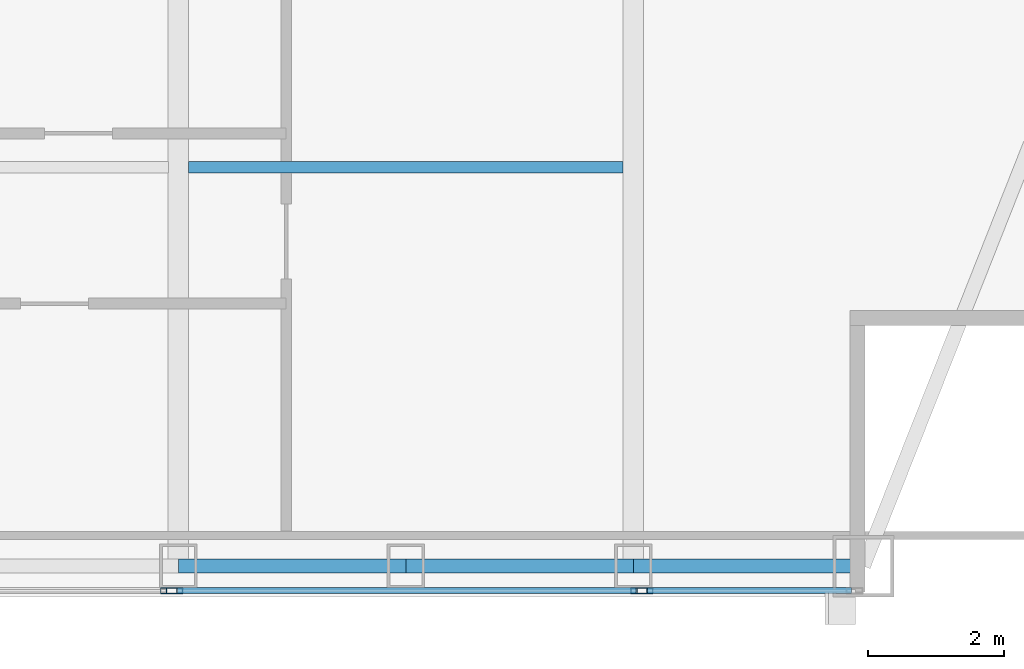
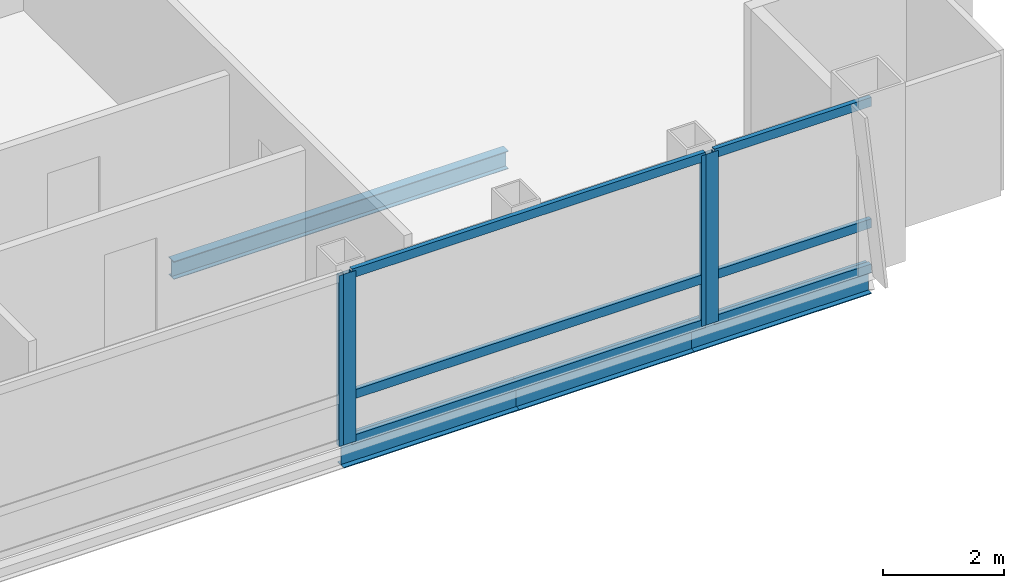
# One storey, part 12 of 26: 10 members, 4 beams, 3 elements without a shape of their own.
"""IFC4 building model written with IfcOpenShell, lengths in metres."""

from ifc_helpers import new_model, si_unit, direction, frame, origin, origin_2d, place, context, subcontext, project, spatial, hollow_rectangle, i_section, extrude, material, material_profile, profile_set, type_object, element, aggregate, save


model = new_model("IFC4")

# Units and contexts
model_context = context("Model", 3, precision=1e-05, world=origin(), true_north=direction((0.0, 1.0)))
body_context = subcontext(model_context, "Body", "Model", "MODEL_VIEW")
ifc_project = project(units=[si_unit("LENGTHUNIT", "METRE"), si_unit("AREAUNIT", "SQUARE_METRE"), si_unit("VOLUMEUNIT", "CUBIC_METRE"), si_unit("PLANEANGLEUNIT", "RADIAN"), si_unit("MASSUNIT", "GRAM", prefix="KILO")], contexts=[model_context])

# Site, building, storey
site_placement = place(None, origin())
site = spatial("IfcSite", under=ifc_project, at=site_placement, CompositionType="ELEMENT")
building_placement = place(site_placement, origin())
building = spatial("IfcBuilding", under=site, at=building_placement, Name="Khoronbel Lancet Exchange", CompositionType="ELEMENT")
storey_placement = place(building_placement, frame((0.0, 0.0, 339.800048828125)))
storey = spatial("IfcBuildingStorey", under=building, at=storey_placement, Name="L88", CompositionType="ELEMENT", Elevation=339.800048828125)

# Beams
ifc_material_1 = material(Name="Steel S355", Category="steel")
ifc_material_profile_1 = material_profile(ifc_material_1, i_section(OverallWidth=0.169921875, OverallDepth=0.360107421875, WebThickness=0.008056640625, FlangeThickness=0.0126953125, at=origin_2d()), Name="IPE 360")
ifc_profile_set_1 = profile_set([ifc_material_profile_1], Name="Steel S355")
beam_type_1 = type_object("IfcBeamType", Name="BM-BJ6", PredefinedType="JOIST", material=ifc_profile_set_1)
beam_1_placement = place(storey_placement, frame((48.14990234375, 16.0, -0.340087890625), z_axis=(1.0, 0.0, 0.0), x_axis=(0.0, 1.0, 0.0)))
element("IfcBeam", 1, at=beam_1_placement, inside=storey, type_object=beam_type_1, Name="Level L88 secondary composite joist J03", PredefinedType="JOIST", context=body_context, shape_type="SweptSolid", body=[
    extrude(i_section(OverallWidth=0.169921875, OverallDepth=0.360107421875, WebThickness=0.008056640625, FlangeThickness=0.0126953125, at=origin_2d()), origin(), (0.0, 0.0, 1.0), 6.375),
])
ifc_material_profile_2 = material_profile(ifc_material_1, i_section(OverallWidth=0.2099609375, OverallDepth=0.550048828125, WebThickness=0.010986328125, FlangeThickness=0.01708984375, at=origin_2d()), Name="IPE 550")
ifc_profile_set_2 = profile_set([ifc_material_profile_2], Name="Steel S355")
beam_type_2 = type_object("IfcBeamType", Name="BM-BSP3", PredefinedType="SPANDREL", material=ifc_profile_set_2)
beam_2_placement = place(storey_placement, frame((48.0, 10.14990234375, -0.43505859375), z_axis=(1.0, 0.0, 0.0), x_axis=(0.0, 1.0, 0.0)))
element("IfcBeam", 2, at=beam_2_placement, inside=storey, type_object=beam_type_2, Name="Level L88 perimeter spandrel beam SP05", PredefinedType="SPANDREL", context=body_context, shape_type="SweptSolid", body=[
    extrude(i_section(OverallWidth=0.2099609375, OverallDepth=0.550048828125, WebThickness=0.010986328125, FlangeThickness=0.01708984375, at=origin_2d()), origin(), (0.0, 0.0, 1.0), 3.33740234375),
])
beam_3_placement = place(storey_placement, frame((51.33740234375, 10.14990234375, -0.43505859375), z_axis=(1.0, 0.0, 0.0), x_axis=(0.0, 1.0, 0.0)))
element("IfcBeam", 3, at=beam_3_placement, inside=storey, type_object=beam_type_2, Name="Level L88 perimeter spandrel beam SP06", PredefinedType="SPANDREL", context=body_context, shape_type="SweptSolid", body=[
    extrude(i_section(OverallWidth=0.2099609375, OverallDepth=0.550048828125, WebThickness=0.010986328125, FlangeThickness=0.01708984375, at=origin_2d()), origin(), (0.0, 0.0, 1.0), 3.337646484375),
])
beam_4_placement = place(storey_placement, frame((54.675048828125, 10.14990234375, -0.43505859375), z_axis=(1.0, 0.0, 0.0), x_axis=(0.0, 1.0, 0.0)))
element("IfcBeam", 4, at=beam_4_placement, inside=storey, type_object=beam_type_2, Name="Level L88 perimeter spandrel beam SP07", PredefinedType="SPANDREL", context=body_context, shape_type="SweptSolid", body=[
    extrude(i_section(OverallWidth=0.2099609375, OverallDepth=0.550048828125, WebThickness=0.010986328125, FlangeThickness=0.01708984375, at=origin_2d()), origin(), (0.0, 0.0, 1.0), 3.375),
])

# Curtain wall, member
ifc_material_2 = material(Name="Low-E Solar Control Insulating Glass", Category="glass")
curtain_wall_type = type_object("IfcCurtainWallType", Name="CW-3", PredefinedType="NOTDEFINED", material=ifc_material_2)
curtain_wall_1_placement = place(storey_placement, origin())
curtain_wall_1 = element("IfcCurtainWall", 5, at=curtain_wall_1_placement, inside=storey, type_object=curtain_wall_type, Name="Unitised curtain wall CW-L88-SCV", PredefinedType="NOTDEFINED")
ifc_material_3 = material(Name="Bronze-Anodised Aluminium 6063-T6", Category="aluminium")
ifc_material_profile_3 = material_profile(ifc_material_3, hollow_rectangle(XDim=0.0849609375, YDim=0.239990234375, WallThickness=0.006103515625, at=origin_2d()), Name="ALU MULLION 85x240")
ifc_profile_set_3 = profile_set([ifc_material_profile_3], Name="Bronze-Anodised Aluminium 6063-T6")
member_type_1 = type_object("IfcMemberType", Name="MEM-CWM1", PredefinedType="MULLION", material=ifc_profile_set_3)
member_1_placement = place(storey_placement, frame((47.857421875, 9.7900390625, 0.0), z_axis=(0.0, 0.0, 1.0), x_axis=(0.0, 1.0, 0.0)))
member_1 = element("IfcMember", 6, at=member_1_placement, type_object=member_type_1, Name="CW3 mullion 3", PredefinedType="MULLION", context=body_context, shape_type="SweptSolid", body=[
    extrude(hollow_rectangle(XDim=0.0849609375, YDim=0.239990234375, WallThickness=0.006103515625, at=origin_2d()), origin(), (0.0, 0.0, 1.0), 3.43994140625),
])
aggregate(curtain_wall_1, [member_1])

# Curtain wall, members
curtain_wall_2_placement = place(storey_placement, origin())
curtain_wall_2 = element("IfcCurtainWall", 7, at=curtain_wall_2_placement, inside=storey, type_object=curtain_wall_type, Name="Unitised curtain wall CW-L88-SEB", PredefinedType="NOTDEFINED")
member_2_placement = place(storey_placement, frame((47.9423828125, 9.7900390625, 0.0), z_axis=(0.0, 0.0, 1.0), x_axis=(0.0, 1.0, 0.0)))
member_2 = element("IfcMember", 8, at=member_2_placement, type_object=member_type_1, Name="CW3 mullion 1", PredefinedType="MULLION", context=body_context, shape_type="SweptSolid", body=[
    extrude(hollow_rectangle(XDim=0.0849609375, YDim=0.239990234375, WallThickness=0.006103515625, at=origin_2d()), origin(), (0.0, 0.0, 1.0), 3.43994140625),
])
member_3_placement = place(storey_placement, frame((54.757568359375, 9.7900390625, 0.0), z_axis=(0.0, 0.0, 1.0), x_axis=(0.0, 1.0, 0.0)))
member_3 = element("IfcMember", 9, at=member_3_placement, type_object=member_type_1, Name="CW3 mullion 2", PredefinedType="MULLION", context=body_context, shape_type="SweptSolid", body=[
    extrude(hollow_rectangle(XDim=0.0849609375, YDim=0.239990234375, WallThickness=0.006103515625, at=origin_2d()), origin(), (0.0, 0.0, 1.0), 3.43994140625),
])

# Curtain wall, member
curtain_wall_3_placement = place(storey_placement, origin())
curtain_wall_3 = element("IfcCurtainWall", 10, at=curtain_wall_3_placement, inside=storey, type_object=curtain_wall_type, Name="Unitised curtain wall CW-L88-SEV", PredefinedType="NOTDEFINED")
member_4_placement = place(storey_placement, frame((54.842529296875, 9.7900390625, 0.0), z_axis=(0.0, 0.0, 1.0), x_axis=(0.0, 1.0, 0.0)))
member_4 = element("IfcMember", 11, at=member_4_placement, type_object=member_type_1, Name="CW3 mullion 1", PredefinedType="MULLION", context=body_context, shape_type="SweptSolid", body=[
    extrude(hollow_rectangle(XDim=0.0849609375, YDim=0.239990234375, WallThickness=0.006103515625, at=origin_2d()), origin(), (0.0, 0.0, 1.0), 3.43994140625),
])

# Member
ifc_material_profile_4 = material_profile(ifc_material_3, hollow_rectangle(XDim=0.0849609375, YDim=0.179931640625, WallThickness=0.0048828125, at=origin_2d()), Name="ALU TRANSOM 85x180")
ifc_profile_set_4 = profile_set([ifc_material_profile_4], Name="Bronze-Anodised Aluminium 6063-T6")
member_type_2 = type_object("IfcMemberType", Name="MEM-CWT1", PredefinedType="USERDEFINED", material=ifc_profile_set_4)
member_5_placement = place(storey_placement, frame((47.985107421875, 9.7900390625, 0.04248046875), z_axis=(1.0, 0.0, 0.0), x_axis=(0.0, 1.0, 0.0)))
member_5 = element("IfcMember", 12, at=member_5_placement, type_object=member_type_2, Name="CW3 transom 1.1", ObjectType="TRANSOM", PredefinedType="USERDEFINED", context=body_context, shape_type="SweptSolid", body=[
    extrude(hollow_rectangle(XDim=0.0849609375, YDim=0.179931640625, WallThickness=0.0048828125, at=origin_2d()), origin(), (0.0, 0.0, 1.0), 6.72998046875),
])

member_6_placement = place(storey_placement, frame((47.985107421875, 9.7900390625, 0.949951171875), z_axis=(1.0, 0.0, 0.0), x_axis=(0.0, 1.0, 0.0)))
member_6 = element("IfcMember", 13, at=member_6_placement, type_object=member_type_2, Name="CW3 transom 1.2", ObjectType="TRANSOM", PredefinedType="USERDEFINED", context=body_context, shape_type="SweptSolid", body=[
    extrude(hollow_rectangle(XDim=0.0849609375, YDim=0.179931640625, WallThickness=0.0048828125, at=origin_2d()), origin(), (0.0, 0.0, 1.0), 6.72998046875),
])

member_7_placement = place(storey_placement, frame((47.985107421875, 9.7900390625, 3.3974609375), z_axis=(1.0, 0.0, 0.0), x_axis=(0.0, 1.0, 0.0)))
member_7 = element("IfcMember", 14, at=member_7_placement, type_object=member_type_2, Name="CW3 transom 1.3", ObjectType="TRANSOM", PredefinedType="USERDEFINED", context=body_context, shape_type="SweptSolid", body=[
    extrude(hollow_rectangle(XDim=0.0849609375, YDim=0.179931640625, WallThickness=0.0048828125, at=origin_2d()), origin(), (0.0, 0.0, 1.0), 6.72998046875),
])

aggregate(curtain_wall_2, [member_2, member_3, member_5, member_6, member_7])

member_8_placement = place(storey_placement, frame((54.885009765625, 9.7900390625, 0.04248046875), z_axis=(1.0, 0.0, 0.0), x_axis=(0.0, 1.0, 0.0)))
member_8 = element("IfcMember", 15, at=member_8_placement, type_object=member_type_2, Name="CW3 transom 1.1", ObjectType="TRANSOM", PredefinedType="USERDEFINED", context=body_context, shape_type="SweptSolid", body=[
    extrude(hollow_rectangle(XDim=0.0849609375, YDim=0.179931640625, WallThickness=0.0048828125, at=origin_2d()), origin(), (0.0, 0.0, 1.0), 2.989990234375),
])

member_9_placement = place(storey_placement, frame((54.885009765625, 9.7900390625, 0.949951171875), z_axis=(1.0, 0.0, 0.0), x_axis=(0.0, 1.0, 0.0)))
member_9 = element("IfcMember", 16, at=member_9_placement, type_object=member_type_2, Name="CW3 transom 1.2", ObjectType="TRANSOM", PredefinedType="USERDEFINED", context=body_context, shape_type="SweptSolid", body=[
    extrude(hollow_rectangle(XDim=0.0849609375, YDim=0.179931640625, WallThickness=0.0048828125, at=origin_2d()), origin(), (0.0, 0.0, 1.0), 2.989990234375),
])

member_10_placement = place(storey_placement, frame((54.885009765625, 9.7900390625, 3.3974609375), z_axis=(1.0, 0.0, 0.0), x_axis=(0.0, 1.0, 0.0)))
member_10 = element("IfcMember", 17, at=member_10_placement, type_object=member_type_2, Name="CW3 transom 1.3", ObjectType="TRANSOM", PredefinedType="USERDEFINED", context=body_context, shape_type="SweptSolid", body=[
    extrude(hollow_rectangle(XDim=0.0849609375, YDim=0.179931640625, WallThickness=0.0048828125, at=origin_2d()), origin(), (0.0, 0.0, 1.0), 2.989990234375),
])

aggregate(curtain_wall_3, [member_4, member_8, member_9, member_10])

save(model, "model.ifc")
